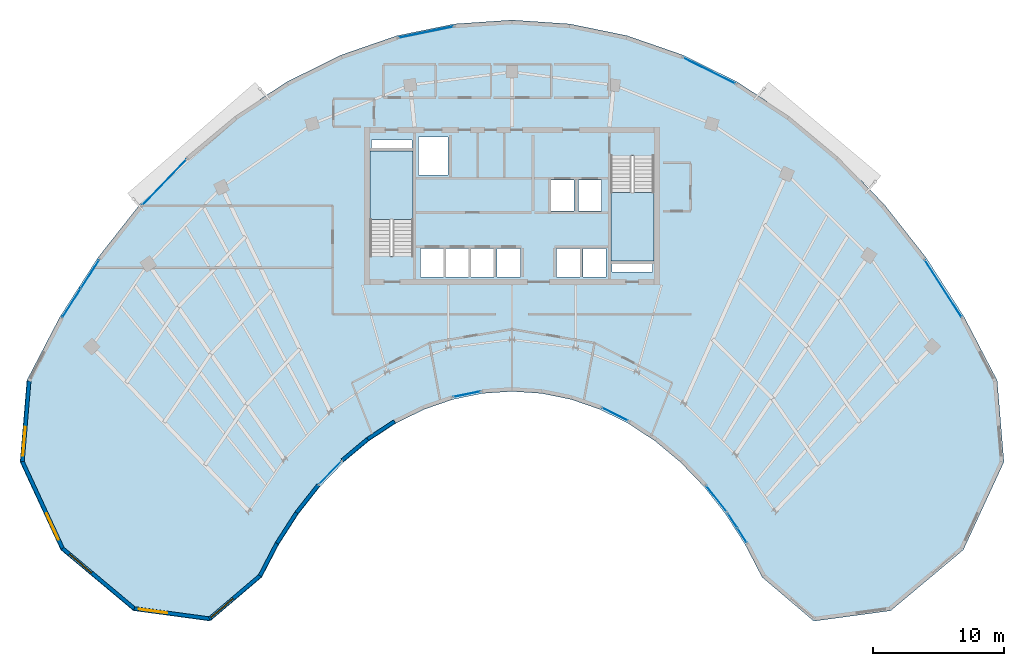
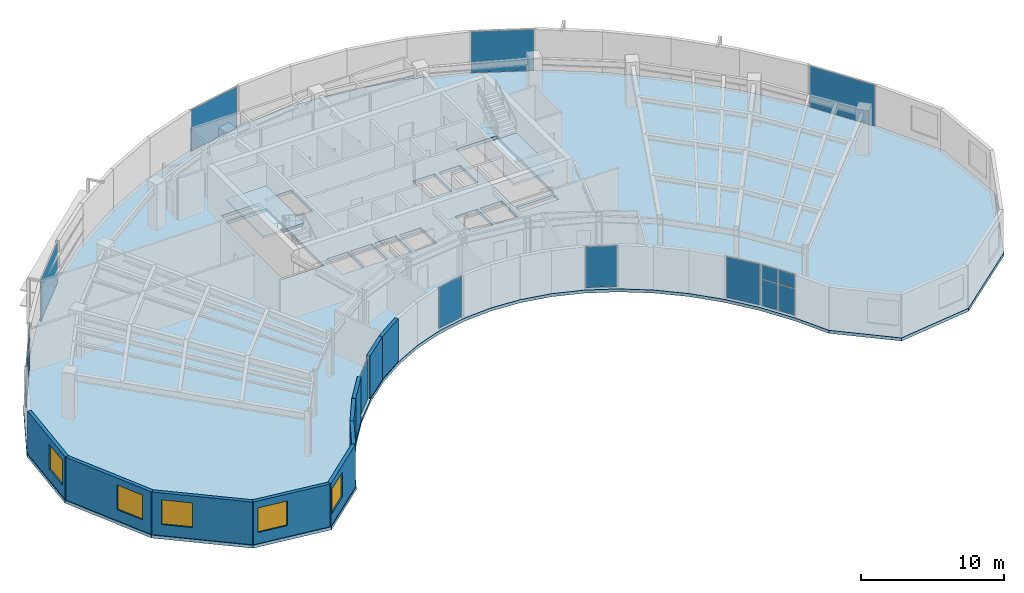
# One storey, part 7 of 14: 16 plates, 10 walls, 5 windows, 3 slabs, 5 openings, 12 elements without a shape of their own.
"""IFC4 building model written with IfcOpenShell, lengths in metres."""

from ifc_helpers import new_model, si_unit, direction, frame, frame_2d, origin, origin_2d, place, context, subcontext, project, spatial, polyline, rectangle, outline, extrude, source, transform, mapped, material, layer, layer_set, type_object, type_shapes, element, fill, aggregate, save


model = new_model("IFC4")

# Units and contexts
model_context = context("Model", 3, precision=1e-05, world=origin(), true_north=direction((0.0, 1.0)))
body_context = subcontext(model_context, "Body", "Model", "MODEL_VIEW")
ifc_project = project(units=[si_unit("LENGTHUNIT", "METRE"), si_unit("AREAUNIT", "SQUARE_METRE"), si_unit("VOLUMEUNIT", "CUBIC_METRE"), si_unit("PLANEANGLEUNIT", "RADIAN"), si_unit("MASSUNIT", "GRAM", prefix="KILO")], contexts=[model_context])

# Site, building, storey
site_placement = place(None, origin())
site = spatial("IfcSite", under=ifc_project, at=site_placement, CompositionType="ELEMENT")
building_placement = place(site_placement, origin())
building = spatial("IfcBuilding", under=site, at=building_placement, Name="Breltana Convention Tower", CompositionType="ELEMENT")
storey_placement = place(building_placement, frame((0.0, 0.0, 207.89990234375)))
storey = spatial("IfcBuildingStorey", under=building, at=storey_placement, Name="L50", CompositionType="ELEMENT", Elevation=207.89990234375)

# Stair, slab
ifc_material_1 = material(Name="Concrete C40/50", Category="concrete")
stair_type = type_object("IfcStairType", Name="ST-DOG-1560-R177", PredefinedType="HALF_TURN_STAIR", material=ifc_material_1)
stair_1_placement = place(storey_placement, origin())
stair_1 = element("IfcStair", 1, at=stair_1_placement, inside=storey, type_object=stair_type, Name="L50 Protected Core Exit Stair ST-1", PredefinedType="HALF_TURN_STAIR")
ifc_layer_1 = layer(ifc_material_1, 0.199951171875, Name="Concrete C40/50")
ifc_layer_set_1 = layer_set([ifc_layer_1], Name="Concrete C40/50")
slab_type_1 = type_object("IfcSlabType", Name="SL-STAIR-LANDING-200", PredefinedType="LANDING", material=ifc_layer_set_1)
slab_1_placement = place(storey_placement, frame((0.0, 0.0, 1.75)))
slab_1 = element("IfcSlab", 2, at=slab_1_placement, type_object=slab_type_1, Name="ST-1 landing 1", PredefinedType="LANDING", context=body_context, shape_type="SweptSolid", body=[
    extrude(outline(polyline([(40.469970703125, 65.159912109375), (40.469970703125, 70.39990234375), (37.199951171875, 70.39990234375), (37.199951171875, 65.159912109375), (40.469970703125, 65.159912109375)])), origin(), (0.0, 0.0, 1.0), 0.2001953125),
])
aggregate(stair_1, [slab_1])

stair_2_placement = place(storey_placement, origin())
stair_2 = element("IfcStair", 3, at=stair_2_placement, inside=storey, type_object=stair_type, Name="L50 Protected Core Exit Stair ST-2", PredefinedType="HALF_TURN_STAIR")
slab_2_placement = place(storey_placement, frame((0.0, 0.0, 1.75)))
slab_2 = element("IfcSlab", 4, at=slab_2_placement, type_object=slab_type_1, Name="ST-2 landing 1", PredefinedType="LANDING", context=body_context, shape_type="SweptSolid", body=[
    extrude(outline(polyline([(55.530029296875, 67.239990234375), (55.530029296875, 62.0), (58.800048828125, 62.0), (58.800048828125, 67.239990234375), (55.530029296875, 67.239990234375)])), origin(), (0.0, 0.0, 1.0), 0.2001953125),
])
aggregate(stair_2, [slab_2])

# Slab
ifc_layer_2 = layer(ifc_material_1, 0.260009765625, Name="Concrete C40/50")
ifc_layer_set_2 = layer_set([ifc_layer_2], Name="Concrete C40/50")
slab_type_2 = type_object("IfcSlabType", Name="SL-UPP-260", PredefinedType="FLOOR", material=ifc_layer_set_2)
slab_3_placement = place(storey_placement, frame((0.0, 0.0, -0.260009765625)))
element("IfcSlab", 5, at=slab_3_placement, inside=storey, type_object=slab_type_2, Name="L50 Suspended Structural Floor Slab", PredefinedType="FLOOR", context=body_context, shape_type="SweptSolid", body=[
    extrude(outline(polyline([(84.9326171875, 52.924560546875), (82.411376953125, 57.767333984375), (79.53759765625, 62.244140625), (76.34130859375, 66.308837890625), (72.8544921875, 69.919921875), (69.113525390625, 73.040283203125), (65.15625, 75.637939453125), (61.023193359375, 77.6865234375), (56.7568359375, 79.1650390625), (52.40087890625, 80.058349609375), (48.0, 80.35693359375), (43.59912109375, 80.058349609375), (39.2431640625, 79.1650390625), (34.976806640625, 77.6865234375), (30.84375, 75.637939453125), (26.886474609375, 73.040283203125), (23.1455078125, 69.919921875), (19.65869140625, 66.308837890625), (16.46240234375, 62.244140625), (13.588623046875, 57.767333984375), (11.0673828125, 52.924560546875), (10.548583984375, 46.716796875), (13.645263671875, 40.0185546875), (19.1748046875, 35.388427734375), (25.02490234375, 34.59521484375), (28.961181640625, 37.941650390625), (30.260986328125, 40.43798828125), (31.7421875, 42.745849609375), (33.39013671875, 44.84130859375), (35.1875, 46.70263671875), (37.115966796875, 48.311279296875), (39.156005859375, 49.650390625), (41.28662109375, 50.706298828125), (43.48583984375, 51.468505859375), (45.731201171875, 51.928955078125), (48.0, 52.0830078125), (50.268798828125, 51.928955078125), (52.51416015625, 51.468505859375), (54.71337890625, 50.706298828125), (56.843994140625, 49.650390625), (58.884033203125, 48.311279296875), (60.8125, 46.70263671875), (62.60986328125, 44.84130859375), (64.2578125, 42.745849609375), (65.739013671875, 40.43798828125), (67.038818359375, 37.941650390625), (70.97509765625, 34.59521484375), (76.8251953125, 35.388427734375), (82.354736328125, 40.0185546875), (85.451416015625, 46.716796875), (84.9326171875, 52.924560546875)]), holes=[polyline([(37.199951171875, 62.385009765625), (40.469970703125, 62.385009765625), (40.469970703125, 70.39990234375), (37.199951171875, 70.39990234375), (37.199951171875, 62.385009765625)]), polyline([(55.530029296875, 62.0), (58.800048828125, 62.0), (58.800048828125, 70.014892578125), (55.530029296875, 70.014892578125), (55.530029296875, 62.0)]), polyline([(41.0400390625, 60.800048828125), (42.800048828125, 60.800048828125), (42.800048828125, 62.97998046875), (41.0400390625, 62.97998046875), (41.0400390625, 60.800048828125)]), polyline([(42.93994140625, 60.800048828125), (44.699951171875, 60.800048828125), (44.699951171875, 62.97998046875), (42.93994140625, 62.97998046875), (42.93994140625, 60.800048828125)]), polyline([(44.8701171875, 60.800048828125), (46.6298828125, 60.800048828125), (46.6298828125, 62.97998046875), (44.8701171875, 62.97998046875), (44.8701171875, 60.800048828125)]), polyline([(46.8701171875, 60.800048828125), (48.6298828125, 60.800048828125), (48.6298828125, 62.97998046875), (46.8701171875, 62.97998046875), (46.8701171875, 60.800048828125)]), polyline([(51.39990234375, 60.800048828125), (53.159912109375, 60.800048828125), (53.159912109375, 62.97998046875), (51.39990234375, 62.97998046875), (51.39990234375, 60.800048828125)]), polyline([(53.39990234375, 60.800048828125), (55.159912109375, 60.800048828125), (55.159912109375, 62.97998046875), (53.39990234375, 62.97998046875), (53.39990234375, 60.800048828125)]), polyline([(50.969970703125, 65.800048828125), (52.72998046875, 65.800048828125), (52.72998046875, 68.179931640625), (50.969970703125, 68.179931640625), (50.969970703125, 65.800048828125)]), polyline([(53.070068359375, 65.800048828125), (54.830078125, 65.800048828125), (54.830078125, 68.179931640625), (53.070068359375, 68.179931640625), (53.070068359375, 65.800048828125)]), polyline([(40.8798828125, 68.550048828125), (43.1201171875, 68.550048828125), (43.1201171875, 71.449951171875), (40.8798828125, 71.449951171875), (40.8798828125, 68.550048828125)]), polyline([(37.300048828125, 70.60009765625), (40.3798828125, 70.60009765625), (40.3798828125, 71.219970703125), (37.300048828125, 71.219970703125), (37.300048828125, 70.60009765625)]), polyline([(55.6201171875, 61.179931640625), (58.699951171875, 61.179931640625), (58.699951171875, 61.800048828125), (55.6201171875, 61.800048828125), (55.6201171875, 61.179931640625)])]), origin(), (0.0, 0.0, 1.0), 0.260009765625),
])

# Curtain wall, plates
ifc_material_2 = material(Name="Aluminium Anodised Bronze Frame", Category="aluminium")
ifc_layer_3 = layer(ifc_material_2, 0.18994140625, Name="Aluminium Anodised Bronze Frame")
ifc_layer_set_3 = layer_set([ifc_layer_3], Name="Aluminium Anodised Bronze Frame")
curtain_wall_type_1 = type_object("IfcCurtainWallType", Name="CW-SYS-1", PredefinedType="NOTDEFINED", material=ifc_layer_set_3)
curtain_wall_1_placement = place(storey_placement, origin())
curtain_wall_1 = element("IfcCurtainWall", 6, at=curtain_wall_1_placement, inside=storey, type_object=curtain_wall_type_1, Name="L50 inner south-court glazing 1", PredefinedType="NOTDEFINED")
ifc_material_3 = material(Name="Glass Low-E Double Glazing", Category="glass")
ifc_layer_4 = layer(ifc_material_3, 0.028076171875, Name="Glass Low-E Double Glazing")
ifc_layer_set_4 = layer_set([ifc_layer_4], Name="Glass Low-E Double Glazing")
plate_type = type_object("IfcPlateType", Name="CWP-IGU-28", PredefinedType="CURTAIN_PANEL", material=ifc_layer_set_4)
shared_shape_1 = source(origin(), body_context, "Body", "SweptSolid", [
    extrude(rectangle(XDim=1.251220703125, YDim=0.028076171875, at=origin_2d()), origin(), (0.0, 0.0, 1.0), 2.24609375),
])
plate_1_placement = place(storey_placement, frame((65.50927734375, 41.129150390625, 0.080078125), z_axis=(0.0, 0.0, 1.0), x_axis=(-0.540184263938, 0.841546766968, 0.0)))
plate_1 = element("IfcPlate", 7, at=plate_1_placement, type_object=plate_type, Name="CW-01 panel 1.1", PredefinedType="CURTAIN_PANEL", context=body_context, shape_type="MappedRepresentation", body=[
    mapped(shared_shape_1, transform((0.0, 0.0, 0.0), scale=1.0)),
])
plate_2_placement = place(storey_placement, frame((64.790283203125, 42.249267578125, 0.080078125), z_axis=(0.0, 0.0, 1.0), x_axis=(-0.540184263938, 0.841546766968, 0.0)))
plate_2 = element("IfcPlate", 8, at=plate_2_placement, type_object=plate_type, Name="CW-01 panel 2.1", PredefinedType="CURTAIN_PANEL", context=body_context, shape_type="MappedRepresentation", body=[
    mapped(shared_shape_1, transform((0.0, 0.0, 0.0), scale=1.0)),
])
shared_shape_2 = source(origin(), body_context, "Body", "SweptSolid", [
    extrude(rectangle(XDim=1.251220703125, YDim=0.028076171875, at=origin_2d()), origin(), (0.0, 0.0, 1.0), 1.154052734375),
])
plate_3_placement = place(storey_placement, frame((65.50927734375, 41.129150390625, 2.40625), z_axis=(0.0, 0.0, 1.0), x_axis=(-0.540184263938, 0.841546766968, 0.0)))
plate_3 = element("IfcPlate", 9, at=plate_3_placement, type_object=plate_type, Name="CW-01 panel 1.2", PredefinedType="CURTAIN_PANEL", context=body_context, shape_type="MappedRepresentation", body=[
    mapped(shared_shape_2, transform((0.0, 0.0, 0.0), scale=1.0)),
])
plate_4_placement = place(storey_placement, frame((64.790283203125, 42.249267578125, 2.40625), z_axis=(0.0, 0.0, 1.0), x_axis=(-0.540184263938, 0.841546766968, 0.0)))
plate_4 = element("IfcPlate", 10, at=plate_4_placement, type_object=plate_type, Name="CW-01 panel 2.2", PredefinedType="CURTAIN_PANEL", context=body_context, shape_type="MappedRepresentation", body=[
    mapped(shared_shape_2, transform((0.0, 0.0, 0.0), scale=1.0)),
])
aggregate(curtain_wall_1, [plate_1, plate_3, plate_2, plate_4])

# Curtain wall, plate
curtain_wall_2_placement = place(storey_placement, origin())
curtain_wall_2 = element("IfcCurtainWall", 11, at=curtain_wall_2_placement, inside=storey, type_object=curtain_wall_type_1, Name="L50 inner south-court glazing 2", PredefinedType="NOTDEFINED")
shared_shape_3 = source(origin(), body_context, "Body", "SweptSolid", [
    extrude(rectangle(XDim=2.505615234375, YDim=0.028076171875, at=origin_2d()), origin(), (0.0, 0.0, 1.0), 3.47998046875),
])
plate_5_placement = place(storey_placement, frame((63.5751953125, 43.90478515625, 0.080078125), z_axis=(0.0, 0.0, 1.0), x_axis=(-0.6181495353, 0.786060526937, 0.0)))
plate_5 = element("IfcPlate", 12, at=plate_5_placement, type_object=plate_type, Name="CW-01 panel 1.1", PredefinedType="CURTAIN_PANEL", context=body_context, shape_type="MappedRepresentation", body=[
    mapped(shared_shape_3, transform((0.0, 0.0, 0.0), scale=1.0)),
])
aggregate(curtain_wall_2, [plate_5])

curtain_wall_3_placement = place(storey_placement, origin())
curtain_wall_3 = element("IfcCurtainWall", 13, at=curtain_wall_3_placement, inside=storey, type_object=curtain_wall_type_1, Name="L50 inner south-court glazing 3", PredefinedType="NOTDEFINED")
shared_shape_4 = source(origin(), body_context, "Body", "SweptSolid", [
    extrude(rectangle(XDim=2.2177734375, YDim=0.028076171875, at=origin_2d()), origin(), (0.0, 0.0, 1.0), 3.47998046875),
])
plate_6_placement = place(storey_placement, frame((55.858642578125, 50.339599609375, 0.080078125), z_axis=(0.0, 0.0, 1.0), x_axis=(-0.89596107102, 0.444132591932, 0.0)))
plate_6 = element("IfcPlate", 14, at=plate_6_placement, type_object=plate_type, Name="CW-01 panel 1.1", PredefinedType="CURTAIN_PANEL", context=body_context, shape_type="MappedRepresentation", body=[
    mapped(shared_shape_4, transform((0.0, 0.0, 0.0), scale=1.0)),
])
aggregate(curtain_wall_3, [plate_6])

curtain_wall_4_placement = place(storey_placement, origin())
curtain_wall_4 = element("IfcCurtainWall", 15, at=curtain_wall_4_placement, inside=storey, type_object=curtain_wall_type_1, Name="L50 inner south-court glazing 4", PredefinedType="NOTDEFINED")
shared_shape_5 = source(origin(), body_context, "Body", "SweptSolid", [
    extrude(rectangle(XDim=2.13232421875, YDim=0.028076171875, at=origin_2d()), origin(), (0.0, 0.0, 1.0), 3.47998046875),
])
plate_7_placement = place(storey_placement, frame((44.572265625, 51.875, 0.080078125), z_axis=(0.0, 0.0, 1.0), x_axis=(-0.979621192803, -0.200853973352, 0.0)))
plate_7 = element("IfcPlate", 16, at=plate_7_placement, type_object=plate_type, Name="CW-01 panel 1.1", PredefinedType="CURTAIN_PANEL", context=body_context, shape_type="MappedRepresentation", body=[
    mapped(shared_shape_5, transform((0.0, 0.0, 0.0), scale=1.0)),
])
aggregate(curtain_wall_4, [plate_7])

curtain_wall_5_placement = place(storey_placement, origin())
curtain_wall_5 = element("IfcCurtainWall", 17, at=curtain_wall_5_placement, inside=storey, type_object=curtain_wall_type_1, Name="L50 inner south-court glazing 5", PredefinedType="NOTDEFINED")
shared_shape_6 = source(origin(), body_context, "Body", "SweptSolid", [
    extrude(rectangle(XDim=2.427490234375, YDim=0.028076171875, at=origin_2d()), origin(), (0.0, 0.0, 1.0), 3.47998046875),
])
plate_8_placement = place(storey_placement, frame((34.1591796875, 45.89697265625, 0.080078125), z_axis=(0.0, 0.0, 1.0), x_axis=(-0.694631756079, -0.719365500595, 0.0)))
plate_8 = element("IfcPlate", 18, at=plate_8_placement, type_object=plate_type, Name="CW-01 panel 1.1", PredefinedType="CURTAIN_PANEL", context=body_context, shape_type="MappedRepresentation", body=[
    mapped(shared_shape_6, transform((0.0, 0.0, 0.0), scale=1.0)),
])
aggregate(curtain_wall_5, [plate_8])

# Curtain wall, plates
ifc_layer_5 = layer(ifc_material_2, 0.219970703125, Name="Aluminium Anodised Bronze Frame")
ifc_layer_set_5 = layer_set([ifc_layer_5], Name="Aluminium Anodised Bronze Frame")
curtain_wall_type_2 = type_object("IfcCurtainWallType", Name="CW-SYS-4", PredefinedType="NOTDEFINED", material=ifc_layer_set_5)
curtain_wall_6_placement = place(storey_placement, origin())
curtain_wall_6 = element("IfcCurtainWall", 19, at=curtain_wall_6_placement, inside=storey, type_object=curtain_wall_type_2, Name="L50 outer double-skin inner glazing 1", PredefinedType="NOTDEFINED")
shared_shape_7 = source(origin(), body_context, "Body", "SweptSolid", [
    extrude(rectangle(XDim=2.531494140625, YDim=0.028076171875, at=origin_2d()), origin(), (0.0, 0.0, 1.0), 2.260986328125),
])
plate_9_placement = place(storey_placement, frame((14.471435546875, 58.8095703125, 0.0703125), z_axis=(0.0, 0.0, 1.0), x_axis=(0.540181791075, 0.84154835428, 0.0)))
plate_9 = element("IfcPlate", 20, at=plate_9_placement, type_object=plate_type, Name="CW-04 panel 1.1", PredefinedType="CURTAIN_PANEL", context=body_context, shape_type="MappedRepresentation", body=[
    mapped(shared_shape_7, transform((0.0, 0.0, 0.0), scale=1.0)),
])
plate_10_placement = place(storey_placement, frame((15.882080078125, 61.007080078125, 0.0703125), z_axis=(0.0, 0.0, 1.0), x_axis=(0.540181791075, 0.84154835428, 0.0)))
plate_10 = element("IfcPlate", 21, at=plate_10_placement, type_object=plate_type, Name="CW-04 panel 2.1", PredefinedType="CURTAIN_PANEL", context=body_context, shape_type="MappedRepresentation", body=[
    mapped(shared_shape_7, transform((0.0, 0.0, 0.0), scale=1.0)),
])
shared_shape_8 = source(origin(), body_context, "Body", "SweptSolid", [
    extrude(rectangle(XDim=2.531494140625, YDim=0.028076171875, at=origin_2d()), origin(), (0.0, 0.0, 1.0), 1.1689453125),
])
plate_11_placement = place(storey_placement, frame((14.471435546875, 58.8095703125, 2.401123046875), z_axis=(0.0, 0.0, 1.0), x_axis=(0.540181791075, 0.84154835428, 0.0)))
plate_11 = element("IfcPlate", 22, at=plate_11_placement, type_object=plate_type, Name="CW-04 panel 1.2", PredefinedType="CURTAIN_PANEL", context=body_context, shape_type="MappedRepresentation", body=[
    mapped(shared_shape_8, transform((0.0, 0.0, 0.0), scale=1.0)),
])
plate_12_placement = place(storey_placement, frame((15.882080078125, 61.007080078125, 2.401123046875), z_axis=(0.0, 0.0, 1.0), x_axis=(0.540181791075, 0.84154835428, 0.0)))
plate_12 = element("IfcPlate", 23, at=plate_12_placement, type_object=plate_type, Name="CW-04 panel 2.2", PredefinedType="CURTAIN_PANEL", context=body_context, shape_type="MappedRepresentation", body=[
    mapped(shared_shape_8, transform((0.0, 0.0, 0.0), scale=1.0)),
])
aggregate(curtain_wall_6, [plate_9, plate_11, plate_10, plate_12])

# Curtain wall, plate
curtain_wall_7_placement = place(storey_placement, origin())
curtain_wall_7 = element("IfcCurtainWall", 24, at=curtain_wall_7_placement, inside=storey, type_object=curtain_wall_type_2, Name="L50 outer double-skin inner glazing 2", PredefinedType="NOTDEFINED")
shared_shape_9 = source(origin(), body_context, "Body", "SweptSolid", [
    extrude(rectangle(XDim=4.8408203125, YDim=0.028076171875, at=origin_2d()), origin(), (0.0, 0.0, 1.0), 3.5),
])
plate_13_placement = place(storey_placement, frame((21.53125, 67.989013671875, 0.070068359375), z_axis=(0.0, 0.0, 1.0), x_axis=(0.694599866751, 0.719396292115, 0.0)))
plate_13 = element("IfcPlate", 25, at=plate_13_placement, type_object=plate_type, Name="CW-04 panel 1.1", PredefinedType="CURTAIN_PANEL", context=body_context, shape_type="MappedRepresentation", body=[
    mapped(shared_shape_9, transform((0.0, 0.0, 0.0), scale=1.0)),
])
aggregate(curtain_wall_7, [plate_13])

curtain_wall_8_placement = place(storey_placement, origin())
curtain_wall_8 = element("IfcCurtainWall", 26, at=curtain_wall_8_placement, inside=storey, type_object=curtain_wall_type_2, Name="L50 outer double-skin inner glazing 3", PredefinedType="NOTDEFINED")
shared_shape_10 = source(origin(), body_context, "Body", "SweptSolid", [
    extrude(rectangle(XDim=4.262451171875, YDim=0.028076171875, at=origin_2d()), origin(), (0.0, 0.0, 1.0), 3.5),
])
plate_14_placement = place(storey_placement, frame((41.45703125, 79.435302734375, 0.070068359375), z_axis=(0.0, 0.0, 1.0), x_axis=(0.979615937236, 0.200879604523, 0.0)))
plate_14 = element("IfcPlate", 27, at=plate_14_placement, type_object=plate_type, Name="CW-04 panel 1.1", PredefinedType="CURTAIN_PANEL", context=body_context, shape_type="MappedRepresentation", body=[
    mapped(shared_shape_10, transform((0.0, 0.0, 0.0), scale=1.0)),
])
aggregate(curtain_wall_8, [plate_14])

curtain_wall_9_placement = place(storey_placement, origin())
curtain_wall_9 = element("IfcCurtainWall", 28, at=curtain_wall_9_placement, inside=storey, type_object=curtain_wall_type_2, Name="L50 outer double-skin inner glazing 4", PredefinedType="NOTDEFINED")
shared_shape_11 = source(origin(), body_context, "Body", "SweptSolid", [
    extrude(rectangle(XDim=4.430419921875, YDim=0.028076171875, at=origin_2d()), origin(), (0.0, 0.0, 1.0), 3.5),
])
plate_15_placement = place(storey_placement, frame((63.010009765625, 76.5009765625, 0.070068359375), z_axis=(0.0, 0.0, 1.0), x_axis=(0.895972827235, -0.444108875003, 0.0)))
plate_15 = element("IfcPlate", 29, at=plate_15_placement, type_object=plate_type, Name="CW-04 panel 1.1", PredefinedType="CURTAIN_PANEL", context=body_context, shape_type="MappedRepresentation", body=[
    mapped(shared_shape_11, transform((0.0, 0.0, 0.0), scale=1.0)),
])
aggregate(curtain_wall_9, [plate_15])

curtain_wall_10_placement = place(storey_placement, origin())
curtain_wall_10 = element("IfcCurtainWall", 30, at=curtain_wall_10_placement, inside=storey, type_object=curtain_wall_type_2, Name="L50 outer double-skin inner glazing 5", PredefinedType="NOTDEFINED")
shared_shape_12 = source(origin(), body_context, "Body", "SweptSolid", [
    extrude(rectangle(XDim=5.142822265625, YDim=0.028076171875, at=origin_2d()), origin(), (0.0, 0.0, 1.0), 3.5),
])
plate_16_placement = place(storey_placement, frame((80.8232421875, 59.908203125, 0.070068359375), z_axis=(0.0, 0.0, 1.0), x_axis=(0.540181791075, -0.84154835428, 0.0)))
plate_16 = element("IfcPlate", 31, at=plate_16_placement, type_object=plate_type, Name="CW-04 panel 1.1", PredefinedType="CURTAIN_PANEL", context=body_context, shape_type="MappedRepresentation", body=[
    mapped(shared_shape_12, transform((0.0, 0.0, 0.0), scale=1.0)),
])
aggregate(curtain_wall_10, [plate_16])

# Wall, opening, window
ifc_material_4 = material(Name="Limestone Buff Insulated Wall", Category="masonry")
ifc_layer_6 = layer(ifc_material_4, 0.280029296875, Name="Limestone Buff Insulated Wall")
ifc_layer_set_6 = layer_set([ifc_layer_6], Name="Limestone Buff Insulated Wall")
wall_type = type_object("IfcWallType", Name="WL-EXT-NOSE-280", PredefinedType="SOLIDWALL", material=ifc_layer_set_6)
shared_shape_13 = source(origin(), body_context, "Body", "SweptSolid", [
    extrude(rectangle(XDim=6.145751953125, YDim=0.280029296875, at=frame_2d((3.07275390625, 0.0))), origin(), (0.0, 0.0, 1.0), 3.64013671875),
])
wall_1_placement = place(storey_placement, frame((10.73193359375, 46.7490234375, 0.0), z_axis=(0.0, 0.0, 1.0), x_axis=(0.083301904456, 0.996524356307, 0.0)))
wall_1 = element("IfcWall", 32, at=wall_1_placement, inside=storey, type_object=wall_type, Name="L50 curved limestone nose wall W6", PredefinedType="SOLIDWALL", context=body_context, shape_type="MappedRepresentation", body=[
    mapped(shared_shape_13, transform((0.0, 0.0, 0.0), scale=1.0)),
])
opening_1_placement = place(wall_1_placement, frame((0.436279296875, 0.0, 0.949951171875)))
opening_1 = element("IfcOpeningElement", 33, at=opening_1_placement, cuts=wall_1, Name="Opening W-03", PredefinedType="OPENING", context=body_context, shape_type="SweptSolid", body=[
    extrude(rectangle(XDim=2.199951171875, YDim=2.10009765625, at=frame_2d((1.10009765625, 1.050048828125))), frame((0.0, 0.14990234375, 0.0), z_axis=(0.0, -1.0, 0.0), x_axis=(1.0, 0.0, 0.0)), (0.0, 0.0, 1.0), 0.300048828125),
])
ifc_material_5 = material(Name="Glass Low-E Insulated Window", Category="glass")
window_type = type_object("IfcWindowType", Name="WN-NOSE-2200X2100", PartitioningType="TRIPLE_PANEL_VERTICAL", PredefinedType="WINDOW", material=ifc_material_5)
shared_shape_14 = source(origin(), body_context, "Body", "SweptSolid", [
    extrude(rectangle(XDim=2.199951171875, YDim=2.10009765625, at=frame_2d((1.10009765625, 1.050048828125))), frame((0.0, 0.030029296875, 0.0), z_axis=(0.0, -1.0, 0.0), x_axis=(1.0, 0.0, 0.0)), (0.0, 0.0, 1.0), 0.06005859375),
])
type_shapes(window_type, [shared_shape_14])
window_1_placement = place(opening_1_placement, origin())
window_1 = element("IfcWindow", 34, at=window_1_placement, inside=storey, type_object=window_type, Name="L50 nose window W6", OverallHeight=2.10009765625, OverallWidth=2.199951171875, PartitioningType="TRIPLE_PANEL_VERTICAL", PredefinedType="WINDOW", context=body_context, shape_type="MappedRepresentation", body=[
    mapped(shared_shape_14, transform((0.0, 0.0, 0.0), scale=1.0)),
])
fill(opening_1, window_1)

shared_shape_15 = source(origin(), body_context, "Body", "SweptSolid", [
    extrude(rectangle(XDim=7.29150390625, YDim=0.280029296875, at=frame_2d((3.645751953125, 0.0))), origin(), (0.0, 0.0, 1.0), 3.64013671875),
])
wall_2_placement = place(storey_placement, frame((13.791748046875, 40.130615234375, 0.0), z_axis=(0.0, 0.0, 1.0), x_axis=(-0.419642001049, 0.907689699708, 0.0)))
wall_2 = element("IfcWall", 35, at=wall_2_placement, inside=storey, type_object=wall_type, Name="L50 curved limestone nose wall W5", PredefinedType="SOLIDWALL", context=body_context, shape_type="MappedRepresentation", body=[
    mapped(shared_shape_15, transform((0.0, 0.0, 0.0), scale=1.0)),
])
opening_2_placement = place(wall_2_placement, frame((0.722900390625, 0.0, 0.949951171875)))
opening_2 = element("IfcOpeningElement", 36, at=opening_2_placement, cuts=wall_2, Name="Opening W-03", PredefinedType="OPENING", context=body_context, shape_type="SweptSolid", body=[
    extrude(rectangle(XDim=2.199951171875, YDim=2.10009765625, at=frame_2d((1.10009765625, 1.050048828125))), frame((0.0, 0.14990234375, 0.0), z_axis=(0.0, -1.0, 0.0), x_axis=(1.0, 0.0, 0.0)), (0.0, 0.0, 1.0), 0.300048828125),
])
window_2_placement = place(opening_2_placement, origin())
window_2 = element("IfcWindow", 37, at=window_2_placement, inside=storey, type_object=window_type, Name="L50 nose window W5", OverallHeight=2.10009765625, OverallWidth=2.199951171875, PartitioningType="TRIPLE_PANEL_VERTICAL", PredefinedType="WINDOW", context=body_context, shape_type="MappedRepresentation", body=[
    mapped(shared_shape_14, transform((0.0, 0.0, 0.0), scale=1.0)),
])
fill(opening_2, window_2)

shared_shape_16 = source(origin(), body_context, "Body", "SweptSolid", [
    extrude(rectangle(XDim=7.11962890625, YDim=0.280029296875, at=frame_2d((3.559814453125, 0.0))), origin(), (0.0, 0.0, 1.0), 3.64013671875),
])
wall_3_placement = place(storey_placement, frame((19.25048828125, 35.559814453125, 0.0), z_axis=(0.0, 0.0, 1.0), x_axis=(-0.766709783564, 0.641993853387, 0.0)))
wall_3 = element("IfcWall", 38, at=wall_3_placement, inside=storey, type_object=wall_type, Name="L50 curved limestone nose wall W4", PredefinedType="SOLIDWALL", context=body_context, shape_type="MappedRepresentation", body=[
    mapped(shared_shape_16, transform((0.0, 0.0, 0.0), scale=1.0)),
])
opening_3_placement = place(wall_3_placement, frame((4.23974609375, 0.0, 0.949951171875)))
opening_3 = element("IfcOpeningElement", 39, at=opening_3_placement, cuts=wall_3, Name="Opening W-03", PredefinedType="OPENING", context=body_context, shape_type="SweptSolid", body=[
    extrude(rectangle(XDim=2.199951171875, YDim=2.10009765625, at=frame_2d((1.10009765625, 1.050048828125))), frame((0.0, 0.14990234375, 0.0), z_axis=(0.0, -1.0, 0.0), x_axis=(1.0, 0.0, 0.0)), (0.0, 0.0, 1.0), 0.300048828125),
])
window_3_placement = place(opening_3_placement, origin())
window_3 = element("IfcWindow", 40, at=window_3_placement, inside=storey, type_object=window_type, Name="L50 nose window W4", OverallHeight=2.10009765625, OverallWidth=2.199951171875, PartitioningType="TRIPLE_PANEL_VERTICAL", PredefinedType="WINDOW", context=body_context, shape_type="MappedRepresentation", body=[
    mapped(shared_shape_14, transform((0.0, 0.0, 0.0), scale=1.0)),
])
fill(opening_3, window_3)

shared_shape_17 = source(origin(), body_context, "Body", "SweptSolid", [
    extrude(rectangle(XDim=5.771240234375, YDim=0.280029296875, at=frame_2d((2.8857421875, 0.0))), origin(), (0.0, 0.0, 1.0), 3.64013671875),
])
wall_4_placement = place(storey_placement, frame((24.969482421875, 34.784423828125, 0.0), z_axis=(0.0, 0.0, 1.0), x_axis=(-0.990933615537, 0.134352408237, 0.0)))
wall_4 = element("IfcWall", 41, at=wall_4_placement, inside=storey, type_object=wall_type, Name="L50 curved limestone nose wall W3", PredefinedType="SOLIDWALL", context=body_context, shape_type="MappedRepresentation", body=[
    mapped(shared_shape_17, transform((0.0, 0.0, 0.0), scale=1.0)),
])
opening_4_placement = place(wall_4_placement, frame((3.228759765625, 0.0, 0.949951171875)))
opening_4 = element("IfcOpeningElement", 42, at=opening_4_placement, cuts=wall_4, Name="Opening W-03", PredefinedType="OPENING", context=body_context, shape_type="SweptSolid", body=[
    extrude(rectangle(XDim=2.199951171875, YDim=2.10009765625, at=frame_2d((1.10009765625, 1.050048828125))), frame((0.0, 0.14990234375, 0.0), z_axis=(0.0, -1.0, 0.0), x_axis=(1.0, 0.0, 0.0)), (0.0, 0.0, 1.0), 0.300048828125),
])
window_4_placement = place(opening_4_placement, origin())
window_4 = element("IfcWindow", 43, at=window_4_placement, inside=storey, type_object=window_type, Name="L50 nose window W3", OverallHeight=2.10009765625, OverallWidth=2.199951171875, PartitioningType="TRIPLE_PANEL_VERTICAL", PredefinedType="WINDOW", context=body_context, shape_type="MappedRepresentation", body=[
    mapped(shared_shape_14, transform((0.0, 0.0, 0.0), scale=1.0)),
])
fill(opening_4, window_4)

shared_shape_18 = source(origin(), body_context, "Body", "SweptSolid", [
    extrude(rectangle(XDim=5.051025390625, YDim=0.280029296875, at=frame_2d((2.525390625, 0.0))), origin(), (0.0, 0.0, 1.0), 3.64013671875),
])
wall_5_placement = place(storey_placement, frame((28.81787109375, 38.055908203125, 0.0), z_axis=(0.0, 0.0, 1.0), x_axis=(-0.761904731537, -0.647689107568, 0.0)))
wall_5 = element("IfcWall", 44, at=wall_5_placement, inside=storey, type_object=wall_type, Name="L50 curved limestone nose wall W2", PredefinedType="SOLIDWALL", context=body_context, shape_type="MappedRepresentation", body=[
    mapped(shared_shape_18, transform((0.0, 0.0, 0.0), scale=1.0)),
])
opening_5_placement = place(wall_5_placement, frame((2.688232421875, 0.0, 0.949951171875)))
opening_5 = element("IfcOpeningElement", 45, at=opening_5_placement, cuts=wall_5, Name="Opening W-03", PredefinedType="OPENING", context=body_context, shape_type="SweptSolid", body=[
    extrude(rectangle(XDim=2.199951171875, YDim=2.10009765625, at=frame_2d((1.10009765625, 1.050048828125))), frame((0.0, 0.14990234375, 0.0), z_axis=(0.0, -1.0, 0.0), x_axis=(1.0, 0.0, 0.0)), (0.0, 0.0, 1.0), 0.300048828125),
])
window_5_placement = place(opening_5_placement, origin())
window_5 = element("IfcWindow", 46, at=window_5_placement, inside=storey, type_object=window_type, Name="L50 nose window W2", OverallHeight=2.10009765625, OverallWidth=2.199951171875, PartitioningType="TRIPLE_PANEL_VERTICAL", PredefinedType="WINDOW", context=body_context, shape_type="MappedRepresentation", body=[
    mapped(shared_shape_14, transform((0.0, 0.0, 0.0), scale=1.0)),
])
fill(opening_5, window_5)

# Walls
shared_shape_19 = source(origin(), body_context, "Body", "SweptSolid", [
    extrude(rectangle(XDim=2.779296875, YDim=0.280029296875, at=frame_2d((1.3896484375, 0.0))), origin(), (0.0, 0.0, 1.0), 3.64013671875),
])
wall_6_placement = place(storey_placement, frame((30.101318359375, 40.521240234375, 0.0), z_axis=(0.0, 0.0, 1.0), x_axis=(-0.461770308601, -0.886999538948, 0.0)))
element("IfcWall", 47, at=wall_6_placement, inside=storey, type_object=wall_type, Name="L50 curved limestone nose wall W1", PredefinedType="SOLIDWALL", context=body_context, shape_type="MappedRepresentation", body=[
    mapped(shared_shape_19, transform((0.0, 0.0, 0.0), scale=1.0)),
])
shared_shape_20 = source(origin(), body_context, "Body", "SweptSolid", [
    extrude(rectangle(XDim=2.51123046875, YDim=0.280029296875, at=frame_2d((1.255615234375, 0.0))), origin(), (0.0, 0.0, 1.0), 3.64013671875),
])
wall_7_placement = place(storey_placement, frame((37.000732421875, 48.449462890625, 0.0), z_axis=(0.0, 0.0, 1.0), x_axis=(-0.767910416122, -0.640557251782, 0.0)))
element("IfcWall", 48, at=wall_7_placement, inside=storey, type_object=wall_type, Name="L50 curved limestone nose wall E17", PredefinedType="SOLIDWALL", context=body_context, shape_type="MappedRepresentation", body=[
    mapped(shared_shape_20, transform((0.0, 0.0, 0.0), scale=1.0)),
])
shared_shape_21 = source(origin(), body_context, "Body", "SweptSolid", [
    extrude(rectangle(XDim=2.440185546875, YDim=0.280029296875, at=frame_2d((1.22021484375, 0.0))), origin(), (0.0, 0.0, 1.0), 3.64013671875),
])
wall_8_placement = place(storey_placement, frame((39.05712890625, 49.80078125, 0.0), z_axis=(0.0, 0.0, 1.0), x_axis=(-0.83598480459, -0.548752591333, 0.0)))
element("IfcWall", 49, at=wall_8_placement, inside=storey, type_object=wall_type, Name="L50 curved limestone nose wall E16", PredefinedType="SOLIDWALL", context=body_context, shape_type="MappedRepresentation", body=[
    mapped(shared_shape_21, transform((0.0, 0.0, 0.0), scale=1.0)),
])
shared_shape_22 = source(origin(), body_context, "Body", "SweptSolid", [
    extrude(rectangle(XDim=2.66552734375, YDim=0.280029296875, at=frame_2d((1.332763671875, 0.0))), origin(), (0.0, 0.0, 1.0), 3.64013671875),
])
wall_9_placement = place(storey_placement, frame((33.24853515625, 44.952392578125, 0.0), z_axis=(0.0, 0.0, 1.0), x_axis=(-0.618161284122, -0.786051287648, 0.0)))
element("IfcWall", 50, at=wall_9_placement, inside=storey, type_object=wall_type, Name="L50 curved limestone nose wall E18", PredefinedType="SOLIDWALL", context=body_context, shape_type="MappedRepresentation", body=[
    mapped(shared_shape_22, transform((0.0, 0.0, 0.0), scale=1.0)),
])
shared_shape_23 = source(origin(), body_context, "Body", "SweptSolid", [
    extrude(rectangle(XDim=2.7421875, YDim=0.280029296875, at=frame_2d((1.37109375, 0.0))), origin(), (0.0, 0.0, 1.0), 3.64013671875),
])
wall_10_placement = place(storey_placement, frame((31.5908203125, 42.843017578125, 0.0), z_axis=(0.0, 0.0, 1.0), x_axis=(-0.540172468355, -0.841554338371, 0.0)))
element("IfcWall", 51, at=wall_10_placement, inside=storey, type_object=wall_type, Name="L50 curved limestone nose wall E19", PredefinedType="SOLIDWALL", context=body_context, shape_type="MappedRepresentation", body=[
    mapped(shared_shape_23, transform((0.0, 0.0, 0.0), scale=1.0)),
])

save(model, "model.ifc")
